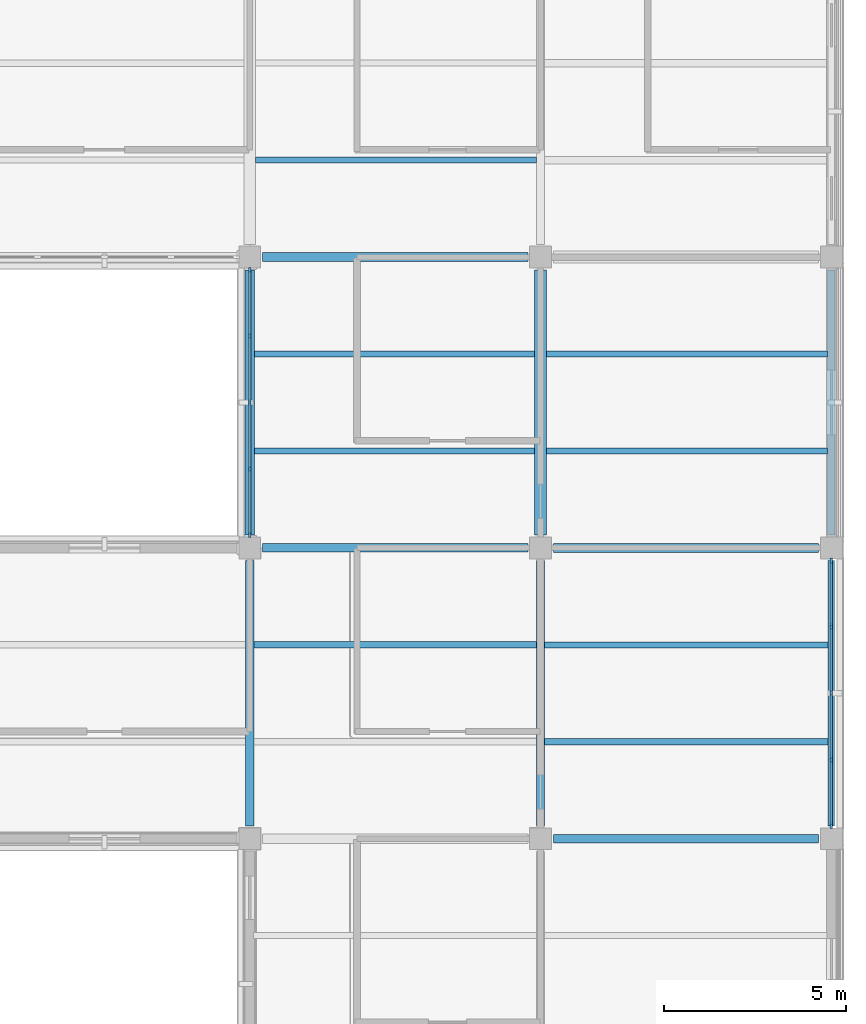
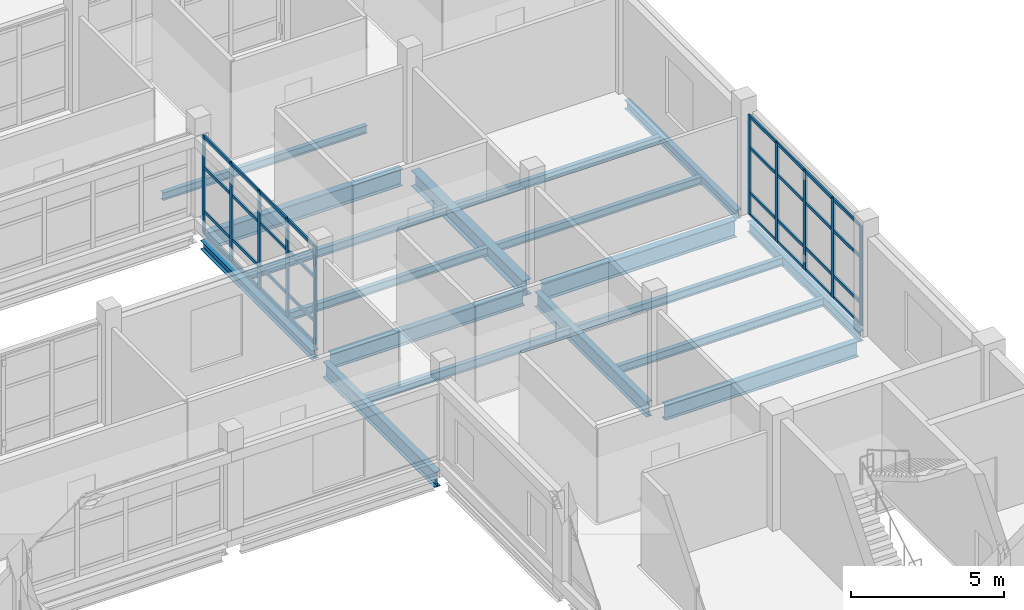
# One storey, part 50 of 121: 42 members, 18 beams, 2 elements without a shape of their own.
"""IFC4 building model written with IfcOpenShell, lengths in metres."""

import ifcopenshell
import ifcopenshell.guid

model = None  # the IFC model being written
_history = None  # IfcOwnerHistory: only IFC2X3 demands one
_inside = {}  # id of a spatial element -> (the spatial element, [elements in it])
_under = {}  # id of a project, library or spatial element -> (it, [spatial elements below it])
_declared = {}  # id of a project -> (the project, [libraries it declares])
_typed = {}  # id of a type object -> (the type object, [elements of that type])
_made_of = {}  # id of a material, layer set ... -> (it, [elements and type objects made of it])


def new_model(schema):
    """Start an empty IFC model of exactly this schema.

    Asked for "IFC4X3", IfcOpenShell would pick the latest addendum, in which some entities
    have other attributes; the version numbers below select the first issue.
    IFC2X3 requires an IfcOwnerHistory on every rooted entity: one is made here for all.
    """
    global model, _history
    if schema == "IFC4X3":
        model = ifcopenshell.file(schema_version=(4, 3, 0, 0))
    else:
        model = ifcopenshell.file(schema=schema)
    _inside.clear()
    _under.clear()
    _declared.clear()
    _typed.clear()
    _made_of.clear()
    _history = None
    if model.schema == "IFC2X3":
        org = make("IfcOrganization", Name="unknown")
        user = make(
            "IfcPersonAndOrganization",
            ThePerson=make("IfcPerson", FamilyName="unknown"),
            TheOrganization=org,
        )
        app = make(
            "IfcApplication",
            ApplicationDeveloper=org,
            Version="unknown",
            ApplicationFullName="unknown",
            ApplicationIdentifier="unknown",
        )
        _history = make(
            "IfcOwnerHistory",
            OwningUser=user,
            OwningApplication=app,
            ChangeAction="ADDED",
            CreationDate=0,
        )
    return model


def make(cls, **values):
    """One entity of the class cls with the attributes given. An attribute that is None is left unset."""
    return model.create_entity(
        cls, **{name: value for name, value in values.items() if value is not None}
    )


def rooted(cls, **values):
    """An entity with a GlobalId (a new one), such as an element, a storey or a relation."""
    return make(cls, GlobalId=ifcopenshell.guid.new(), OwnerHistory=_history, **values)


def si_unit(unit_type, name, prefix=None):
    """IfcSIUnit, for example si_unit("LENGTHUNIT", "METRE", prefix="MILLI")."""
    return make("IfcSIUnit", UnitType=unit_type, Prefix=prefix, Name=name)


def derived_unit(unit_type, elements):
    """IfcDerivedUnit: a product of units, each with its exponent."""
    return make(
        "IfcDerivedUnit",
        Elements=[
            make("IfcDerivedUnitElement", Unit=unit, Exponent=power)
            for unit, power in elements
        ],
        UnitType=unit_type,
    )


def assignment(units):
    """IfcUnitAssignment: the units of a project."""
    return None if units is None else make("IfcUnitAssignment", Units=units)


def point(xyz):
    """IfcCartesianPoint."""
    return None if xyz is None else make("IfcCartesianPoint", Coordinates=xyz)


def direction(xyz):
    """IfcDirection."""
    return None if xyz is None else make("IfcDirection", DirectionRatios=xyz)


def frame(location, z_axis=None, x_axis=None):
    """IfcAxis2Placement3D, a coordinate frame: its origin and axes. An axis left out is left unset."""
    return make(
        "IfcAxis2Placement3D",
        Location=point(location),
        Axis=direction(z_axis),
        RefDirection=direction(x_axis),
    )


def frame_2d(location, x_axis=None):
    """IfcAxis2Placement2D, a coordinate frame in the plane: its origin and x axis."""
    return make(
        "IfcAxis2Placement2D", Location=point(location), RefDirection=direction(x_axis)
    )


def origin():
    """The frame at (0, 0, 0) with its axes left unset."""
    return frame((0.0, 0.0, 0.0))


def origin_2d():
    """The frame at (0, 0) in the plane with its x axis left unset."""
    return frame_2d((0.0, 0.0))


def place(relative_to, where):
    """IfcLocalPlacement: puts the frame where relative to a parent placement (None: the world)."""
    return make(
        "IfcLocalPlacement", PlacementRelTo=relative_to, RelativePlacement=where
    )


def context(
    kind, dimensions, precision=None, world=None, true_north=None, identifier=None
):
    """IfcGeometricRepresentationContext, for example the 3D "Model" context."""
    return make(
        "IfcGeometricRepresentationContext",
        ContextIdentifier=identifier,
        ContextType=kind,
        CoordinateSpaceDimension=dimensions,
        Precision=precision,
        WorldCoordinateSystem=world,
        TrueNorth=true_north,
    )


def subcontext(parent, identifier, kind, view, scale=None):
    """IfcGeometricRepresentationSubContext, for example "Body" below "Model"."""
    return make(
        "IfcGeometricRepresentationSubContext",
        ContextIdentifier=identifier,
        ContextType=kind,
        ParentContext=parent,
        TargetScale=scale,
        TargetView=view,
    )


def project(units=None, contexts=None):
    """IfcProject with its units and contexts."""
    return rooted(
        "IfcProject",
        Name="project",
        RepresentationContexts=contexts,
        UnitsInContext=assignment(units),
    )


def spatial(cls, under=None, at=None, **own):
    """A site, building, storey or space (cls), placed at a placement, below another one or the project."""
    s = rooted(cls, ObjectPlacement=at, **own)
    if under is not None:
        _under.setdefault(under.id(), (under, []))[1].append(s)
    return s


def profile(cls, at=None, kind="AREA", **sizes):
    """A parametric profile (cls). Its sizes go by their IFC names, for example OverallWidth=200.0."""
    return make(cls, ProfileType=kind, Position=at, **sizes)


def rectangle(**sizes):
    """IfcRectangleProfileDef."""
    return profile("IfcRectangleProfileDef", **sizes)


def i_section(**sizes):
    """IfcIShapeProfileDef."""
    return profile("IfcIShapeProfileDef", **sizes)


def extrude(swept, where, along, depth):
    """IfcExtrudedAreaSolid: the profile swept, set in the frame where, extruded along a direction by depth."""
    return make(
        "IfcExtrudedAreaSolid",
        SweptArea=swept,
        Position=where,
        ExtrudedDirection=direction(along),
        Depth=depth,
    )


def shape(context_of_items, identifier, shape_type, items):
    """IfcShapeRepresentation: the items that make up one representation, for example the "Body"."""
    return make(
        "IfcShapeRepresentation",
        ContextOfItems=context_of_items,
        RepresentationIdentifier=identifier,
        RepresentationType=shape_type,
        Items=items,
    )


def material(Name=None, Category=None):
    """IfcMaterial."""
    return make("IfcMaterial", Name=Name, Category=Category)


def layer(
    of_material, thickness, ventilated=None, Name=None, Category=None, Priority=None
):
    """IfcMaterialLayer: one layer of a wall or slab, of a material (None: an air gap)."""
    return make(
        "IfcMaterialLayer",
        Material=of_material,
        LayerThickness=thickness,
        IsVentilated=ventilated,
        Name=Name,
        Category=Category,
        Priority=Priority,
    )


def layer_set(layers, Name=None):
    """IfcMaterialLayerSet."""
    return make("IfcMaterialLayerSet", MaterialLayers=layers, LayerSetName=Name)


def material_profile(
    of_material, cross_section, Name=None, Category=None, Priority=None
):
    """IfcMaterialProfile: a cross section and its material."""
    return make(
        "IfcMaterialProfile",
        Name=Name,
        Material=of_material,
        Profile=cross_section,
        Priority=Priority,
        Category=Category,
    )


def profile_set(profiles, Name=None, composite=None):
    """IfcMaterialProfileSet."""
    return make(
        "IfcMaterialProfileSet",
        Name=Name,
        MaterialProfiles=profiles,
        CompositeProfile=composite,
    )


def made_of(thing, what):
    """Note that an element or type object is made of a material, layer set ...; save() writes the relation."""
    if what is not None:
        _made_of.setdefault(what.id(), (what, []))[1].append(thing)
    return thing


def type_object(cls, material=None, **own):
    """A type object (cls), such as IfcWallType, which elements share."""
    return made_of(rooted(cls, **own), material)


def element(
    cls,
    number,
    at=None,
    inside=None,
    cuts=None,
    type_object=None,
    material=None,
    context=None,
    identifier="Body",
    shape_type=None,
    held_by="IfcProductDefinitionShape",
    body=None,
    shapes=None,
    **own,
):
    """One element of the class cls, such as IfcWall. Its Tag is "e" and its number.

    at: its placement. inside: the storey or other place that contains it. cuts: it is an
    opening in that element (IfcRelVoidsElement). A single representation is given by context,
    identifier, shape_type and body (its items); several are given by shapes. held_by: the class
    of the entity that holds the representations. save() writes the other relations.
    """
    e = rooted(cls, Tag="e%d" % number, ObjectPlacement=at, **own)
    if body is not None:
        shapes = [shape(context, identifier, shape_type, body)]
    if shapes is not None:
        e.Representation = make(held_by, Representations=shapes)
    if inside is not None:
        _inside.setdefault(inside.id(), (inside, []))[1].append(e)
    if cuts is not None:
        rooted(
            "IfcRelVoidsElement", RelatingBuildingElement=cuts, RelatedOpeningElement=e
        )
    if type_object is not None:
        _typed.setdefault(type_object.id(), (type_object, []))[1].append(e)
    return made_of(e, material)


def aggregate(whole, parts):
    """IfcRelAggregates: a whole, such as a stair, and the parts it consists of."""
    return rooted("IfcRelAggregates", RelatingObject=whole, RelatedObjects=parts)


def save(model, path):
    """Write the relations noted so far, then the file.

    IfcRelAggregates (storeys below a building ...), IfcRelContainedInSpatialStructure (elements
    in a storey), IfcRelDefinesByType, IfcRelAssociatesMaterial and IfcRelDeclares: one each for
    every whole, place, type object, material and project.
    """
    for whole, parts in _under.values():
        aggregate(whole, parts)
    for where, things in _inside.values():
        rooted(
            "IfcRelContainedInSpatialStructure",
            RelatedElements=things,
            RelatingStructure=where,
        )
    for kind, things in _typed.values():
        rooted("IfcRelDefinesByType", RelatedObjects=things, RelatingType=kind)
    for what, things in _made_of.values():
        rooted("IfcRelAssociatesMaterial", RelatedObjects=things, RelatingMaterial=what)
    for by, libraries in _declared.values():
        rooted("IfcRelDeclares", RelatingContext=by, RelatedDefinitions=libraries)
    model.write(path)


model = new_model("IFC4")

# Units and contexts
model_context = context("Model", 3, precision=1e-05, world=origin(), true_north=direction((0.0, 1.0)))
body_context = subcontext(model_context, "Body", "Model", "MODEL_VIEW")
ifc_project = project(units=[si_unit("LENGTHUNIT", "METRE"), si_unit("AREAUNIT", "SQUARE_METRE"), si_unit("VOLUMEUNIT", "CUBIC_METRE"), si_unit("PLANEANGLEUNIT", "RADIAN"), si_unit("MASSUNIT", "GRAM", prefix="KILO"), derived_unit("THERMALTRANSMITTANCEUNIT", [(si_unit("MASSUNIT", "GRAM", prefix="KILO"), 1), (si_unit("TIMEUNIT", "SECOND"), -3), (si_unit("THERMODYNAMICTEMPERATUREUNIT", "KELVIN"), -1)])], contexts=[model_context])

# Site, building, storey
site_placement = place(None, origin())
site = spatial("IfcSite", under=ifc_project, at=site_placement, CompositionType="ELEMENT")
building_placement = place(site_placement, origin())
building = spatial("IfcBuilding", under=site, at=building_placement, Name="Veyamyaing Civic Hall", CompositionType="ELEMENT")
storey_placement = place(building_placement, frame((0.0, 0.0, 5.280029296875)))
storey = spatial("IfcBuildingStorey", under=building, at=storey_placement, Name="L01", CompositionType="ELEMENT", Elevation=5.280029296875)

# Beams
ifc_material_1 = material(Name="Steel ASTM A992", Category="steel")
ifc_material_profile_1 = material_profile(ifc_material_1, i_section(OverallWidth=0.22998046875, OverallDepth=0.616943359375, WebThickness=0.01318359375, FlangeThickness=0.022216796875, FilletRadius=0.012939453125, at=origin_2d()), Name="W610X140")
ifc_profile_set_1 = profile_set([ifc_material_profile_1], Name="Steel ASTM A992")
beam_type_1 = type_object("IfcBeamType", Name="B-05", PredefinedType="BEAM", material=ifc_profile_set_1)
for number, where, z_axis, x_axis, name in (
    (1, (168.35009765625, 32.0, -0.553466796875), (1.0, 0.0, 0.0), (0.0, 1.0, 0.0), "Girder B-05 L01 Grid E 22-23"),
    (2, (160.35009765625, 40.0, -0.553466796875), (1.0, 0.0, 0.0), (0.0, 1.0, 0.0), "Girder B-05 L01 Grid F 21-22"),
    (3, (160.0, 32.35009765625, -0.553466796875), (0.0, 1.0, 0.0), (-1.0, 0.0, 0.0), "Girder B-05 L01 Grid 21 E-F"),
):
    element("IfcBeam", number, at=place(storey_placement, frame(where, z_axis=z_axis, x_axis=x_axis)), inside=storey, type_object=beam_type_1, Name=name, PredefinedType="BEAM", context=body_context, shape_type="SweptSolid", body=[
        extrude(i_section(OverallWidth=0.22998046875, OverallDepth=0.616943359375, WebThickness=0.01318359375, FlangeThickness=0.022216796875, FilletRadius=0.012939453125, at=origin_2d()), origin(), (0.0, 0.0, 1.0), 7.2998046875),
    ])
ifc_material_profile_2 = material_profile(ifc_material_1, i_section(OverallWidth=0.22802734375, OverallDepth=0.60791015625, WebThickness=0.01123046875, FlangeThickness=0.017333984375, FilletRadius=0.012939453125, at=origin_2d()), Name="W610X113")
ifc_profile_set_2 = profile_set([ifc_material_profile_2], Name="Steel ASTM A992")
beam_type_2 = type_object("IfcBeamType", Name="B-06", PredefinedType="BEAM", material=ifc_profile_set_2)
beam_1_placement = place(storey_placement, frame((168.0, 32.35009765625, -0.549072265625), z_axis=(0.0, 1.0, 0.0), x_axis=(-1.0, 0.0, 0.0)))
element("IfcBeam", 4, at=beam_1_placement, inside=storey, type_object=beam_type_2, Name="Girder B-06 L01 Grid 22 E-F", PredefinedType="BEAM", context=body_context, shape_type="SweptSolid", body=[
    extrude(i_section(OverallWidth=0.22802734375, OverallDepth=0.60791015625, WebThickness=0.01123046875, FlangeThickness=0.017333984375, FilletRadius=0.012939453125, at=origin_2d()), origin(), (0.0, 0.0, 1.0), 7.2998046875),
])
ifc_material_profile_3 = material_profile(ifc_material_1, i_section(OverallWidth=0.179931640625, OverallDepth=0.4130859375, WebThickness=0.009765625, FlangeThickness=0.01611328125, FilletRadius=0.010009765625, at=origin_2d()), Name="W410X74")
ifc_profile_set_3 = profile_set([ifc_material_profile_3], Name="Steel ASTM A992")
beam_type_3 = type_object("IfcBeamType", Name="B-10", PredefinedType="SPANDREL", material=ifc_profile_set_3)
beam_2_placement = place(storey_placement, frame((176.0, 32.35009765625, -0.451416015625), z_axis=(0.0, 1.0, 0.0), x_axis=(-1.0, 0.0, 0.0)))
element("IfcBeam", 5, at=beam_2_placement, inside=storey, type_object=beam_type_3, Name="Girder B-10 L01 Grid 23 E-F", PredefinedType="SPANDREL", context=body_context, shape_type="SweptSolid", body=[
    extrude(i_section(OverallWidth=0.179931640625, OverallDepth=0.4130859375, WebThickness=0.009765625, FlangeThickness=0.01611328125, FilletRadius=0.010009765625, at=origin_2d()), origin(), (0.0, 0.0, 1.0), 7.2998046875),
])
ifc_material_profile_4 = material_profile(ifc_material_1, i_section(OverallWidth=0.2041015625, OverallDepth=0.35009765625, WebThickness=0.0078125, FlangeThickness=0.01513671875, FilletRadius=0.010009765625, at=origin_2d()), Name="W360X72")
ifc_profile_set_4 = profile_set([ifc_material_profile_4], Name="Steel ASTM A992")
beam_type_4 = type_object("IfcBeamType", Name="B-11", PredefinedType="SPANDREL", material=ifc_profile_set_4)
beam_3_placement = place(storey_placement, frame((176.0, 40.35009765625, -0.419921875), z_axis=(0.0, 1.0, 0.0), x_axis=(-1.0, 0.0, 0.0)))
element("IfcBeam", 6, at=beam_3_placement, inside=storey, type_object=beam_type_4, Name="Girder B-11 L01 Grid 23 F-G", PredefinedType="SPANDREL", context=body_context, shape_type="SweptSolid", body=[
    extrude(i_section(OverallWidth=0.2041015625, OverallDepth=0.35009765625, WebThickness=0.0078125, FlangeThickness=0.01513671875, FilletRadius=0.010009765625, at=origin_2d()), origin(), (0.0, 0.0, 1.0), 7.2998046875),
])
ifc_material_profile_5 = material_profile(ifc_material_1, i_section(OverallWidth=0.25390625, OverallDepth=0.68408203125, WebThickness=0.012451171875, FlangeThickness=0.01904296875, FilletRadius=0.013916015625, at=origin_2d()), Name="W690X140")
ifc_profile_set_5 = profile_set([ifc_material_profile_5], Name="Steel ASTM A992")
beam_type_5 = type_object("IfcBeamType", Name="B-14", PredefinedType="BEAM", material=ifc_profile_set_5)
for number, where, z_axis, x_axis, name in (
    (7, (168.35009765625, 40.0, -0.5869140625), (1.0, 0.0, 0.0), (0.0, 1.0, 0.0), "Girder B-14 L01 Grid F 22-23"),
    (8, (160.35009765625, 48.0, -0.5869140625), (1.0, 0.0, 0.0), (0.0, 1.0, 0.0), "Girder B-14 L01 Grid G 21-22"),
):
    element("IfcBeam", number, at=place(storey_placement, frame(where, z_axis=z_axis, x_axis=x_axis)), inside=storey, type_object=beam_type_5, Name=name, PredefinedType="BEAM", context=body_context, shape_type="SweptSolid", body=[
        extrude(i_section(OverallWidth=0.25390625, OverallDepth=0.68408203125, WebThickness=0.012451171875, FlangeThickness=0.01904296875, FilletRadius=0.013916015625, at=origin_2d()), origin(), (0.0, 0.0, 1.0), 7.2998046875),
    ])
ifc_material_profile_6 = material_profile(ifc_material_1, i_section(OverallWidth=0.324951171875, OverallDepth=0.615966796875, WebThickness=0.013916015625, FlangeThickness=0.021484375, FilletRadius=0.013916015625, at=origin_2d()), Name="W610X174")
ifc_profile_set_6 = profile_set([ifc_material_profile_6], Name="Steel ASTM A992")
beam_type_6 = type_object("IfcBeamType", Name="B-15", PredefinedType="BEAM", material=ifc_profile_set_6)
beam_4_placement = place(storey_placement, frame((168.0, 40.35009765625, -0.552978515625), z_axis=(0.0, 1.0, 0.0), x_axis=(-1.0, 0.0, 0.0)))
element("IfcBeam", 9, at=beam_4_placement, inside=storey, type_object=beam_type_6, Name="Girder B-15 L01 Grid 22 F-G", PredefinedType="BEAM", context=body_context, shape_type="SweptSolid", body=[
    extrude(i_section(OverallWidth=0.324951171875, OverallDepth=0.615966796875, WebThickness=0.013916015625, FlangeThickness=0.021484375, FilletRadius=0.013916015625, at=origin_2d()), origin(), (0.0, 0.0, 1.0), 7.2998046875),
])
ifc_material_profile_7 = material_profile(ifc_material_1, i_section(OverallWidth=0.25390625, OverallDepth=0.35302734375, WebThickness=0.009521484375, FlangeThickness=0.016357421875, FilletRadius=0.011962890625, at=origin_2d()), Name="W360X91")
ifc_profile_set_7 = profile_set([ifc_material_profile_7], Name="Steel ASTM A992")
beam_type_7 = type_object("IfcBeamType", Name="B-20", PredefinedType="SPANDREL", material=ifc_profile_set_7)
beam_5_placement = place(storey_placement, frame((160.0, 40.35009765625, -0.421630859375), z_axis=(0.0, 1.0, 0.0), x_axis=(-1.0, 0.0, 0.0)))
element("IfcBeam", 10, at=beam_5_placement, inside=storey, type_object=beam_type_7, Name="Girder B-20 L01 Grid 21 F-G", PredefinedType="SPANDREL", context=body_context, shape_type="SweptSolid", body=[
    extrude(i_section(OverallWidth=0.25390625, OverallDepth=0.35302734375, WebThickness=0.009521484375, FlangeThickness=0.016357421875, FilletRadius=0.011962890625, at=origin_2d()), origin(), (0.0, 0.0, 1.0), 7.2998046875),
])

# Curtain wall, members
ifc_material_2 = material(Name="Anodised aluminium 6063-T6", Category="aluminium")
ifc_layer = layer(ifc_material_2, 0.159912109375, Name="Anodised aluminium 6063-T6")
ifc_layer_set = layer_set([ifc_layer], Name="Anodised aluminium 6063-T6")
curtain_wall_type = type_object("IfcCurtainWallType", Name="CW-02", PredefinedType="NOTDEFINED", material=ifc_layer_set)
curtain_wall_1_placement = place(storey_placement, origin())
curtain_wall_1 = element("IfcCurtainWall", 11, at=curtain_wall_1_placement, inside=storey, type_object=curtain_wall_type, Name="Unitized curtain wall CW-02 L01 W 21.6", PredefinedType="NOTDEFINED")
ifc_material_profile_8 = material_profile(ifc_material_2, rectangle(XDim=0.06494140625, YDim=0.159912109375, at=origin_2d()), Name="ALU-MUL-65X160")
ifc_profile_set_8 = profile_set([ifc_material_profile_8], Name="Anodised aluminium 6063-T6")
member_type_1 = type_object("IfcMemberType", Name="CWM-01", PredefinedType="MULLION", material=ifc_profile_set_8)
member_1_placement = place(storey_placement, frame((160.0, 40.362548828125, 0.0), z_axis=(0.0, 0.0, 1.0), x_axis=(-1.0, 0.0, 0.0)))
member_1 = element("IfcMember", 12, at=member_1_placement, type_object=member_type_1, Name="CW-02 mullion 1", PredefinedType="MULLION", context=body_context, shape_type="SweptSolid", body=[
    extrude(rectangle(XDim=0.06494140625, YDim=0.159912109375, at=origin_2d()), origin(), (0.0, 0.0, 1.0), 3.9140625),
])
member_2_placement = place(storey_placement, frame((160.0, 42.1650390625, 0.0), z_axis=(0.0, 0.0, 1.0), x_axis=(-1.0, 0.0, 0.0)))
member_2 = element("IfcMember", 13, at=member_2_placement, type_object=member_type_1, Name="CW-02 mullion 2", PredefinedType="MULLION", context=body_context, shape_type="SweptSolid", body=[
    extrude(rectangle(XDim=0.06494140625, YDim=0.159912109375, at=origin_2d()), origin(), (0.0, 0.0, 1.0), 3.9140625),
])
member_3_placement = place(storey_placement, frame((160.0, 44.0, 0.0), z_axis=(0.0, 0.0, 1.0), x_axis=(-1.0, 0.0, 0.0)))
member_3 = element("IfcMember", 14, at=member_3_placement, type_object=member_type_1, Name="CW-02 mullion 3", PredefinedType="MULLION", context=body_context, shape_type="SweptSolid", body=[
    extrude(rectangle(XDim=0.06494140625, YDim=0.159912109375, at=origin_2d()), origin(), (0.0, 0.0, 1.0), 3.9140625),
])
member_4_placement = place(storey_placement, frame((160.0, 45.8349609375, 0.0), z_axis=(0.0, 0.0, 1.0), x_axis=(-1.0, 0.0, 0.0)))
member_4 = element("IfcMember", 15, at=member_4_placement, type_object=member_type_1, Name="CW-02 mullion 4", PredefinedType="MULLION", context=body_context, shape_type="SweptSolid", body=[
    extrude(rectangle(XDim=0.06494140625, YDim=0.159912109375, at=origin_2d()), origin(), (0.0, 0.0, 1.0), 3.9140625),
])
member_5_placement = place(storey_placement, frame((160.0, 47.637451171875, 0.0), z_axis=(0.0, 0.0, 1.0), x_axis=(-1.0, 0.0, 0.0)))
member_5 = element("IfcMember", 16, at=member_5_placement, type_object=member_type_1, Name="CW-02 mullion 5", PredefinedType="MULLION", context=body_context, shape_type="SweptSolid", body=[
    extrude(rectangle(XDim=0.06494140625, YDim=0.159912109375, at=origin_2d()), origin(), (0.0, 0.0, 1.0), 3.9140625),
])

curtain_wall_2_placement = place(storey_placement, origin())
curtain_wall_2 = element("IfcCurtainWall", 17, at=curtain_wall_2_placement, inside=storey, type_object=curtain_wall_type, Name="Unitized curtain wall CW-02 L01 E 22.5", PredefinedType="NOTDEFINED")
member_6_placement = place(storey_placement, frame((176.0, 32.362548828125, 0.0), z_axis=(0.0, 0.0, 1.0), x_axis=(-1.0, 0.0, 0.0)))
member_6 = element("IfcMember", 18, at=member_6_placement, type_object=member_type_1, Name="CW-02 mullion 1", PredefinedType="MULLION", context=body_context, shape_type="SweptSolid", body=[
    extrude(rectangle(XDim=0.06494140625, YDim=0.159912109375, at=origin_2d()), origin(), (0.0, 0.0, 1.0), 3.97705078125),
])
member_7_placement = place(storey_placement, frame((176.0, 34.1650390625, 0.0), z_axis=(0.0, 0.0, 1.0), x_axis=(-1.0, 0.0, 0.0)))
member_7 = element("IfcMember", 19, at=member_7_placement, type_object=member_type_1, Name="CW-02 mullion 2", PredefinedType="MULLION", context=body_context, shape_type="SweptSolid", body=[
    extrude(rectangle(XDim=0.06494140625, YDim=0.159912109375, at=origin_2d()), origin(), (0.0, 0.0, 1.0), 3.97705078125),
])
member_8_placement = place(storey_placement, frame((176.0, 36.0, 0.0), z_axis=(0.0, 0.0, 1.0), x_axis=(-1.0, 0.0, 0.0)))
member_8 = element("IfcMember", 20, at=member_8_placement, type_object=member_type_1, Name="CW-02 mullion 3", PredefinedType="MULLION", context=body_context, shape_type="SweptSolid", body=[
    extrude(rectangle(XDim=0.06494140625, YDim=0.159912109375, at=origin_2d()), origin(), (0.0, 0.0, 1.0), 3.97705078125),
])
member_9_placement = place(storey_placement, frame((176.0, 37.8349609375, 0.0), z_axis=(0.0, 0.0, 1.0), x_axis=(-1.0, 0.0, 0.0)))
member_9 = element("IfcMember", 21, at=member_9_placement, type_object=member_type_1, Name="CW-02 mullion 4", PredefinedType="MULLION", context=body_context, shape_type="SweptSolid", body=[
    extrude(rectangle(XDim=0.06494140625, YDim=0.159912109375, at=origin_2d()), origin(), (0.0, 0.0, 1.0), 3.97705078125),
])
member_10_placement = place(storey_placement, frame((176.0, 39.637451171875, 0.0), z_axis=(0.0, 0.0, 1.0), x_axis=(-1.0, 0.0, 0.0)))
member_10 = element("IfcMember", 22, at=member_10_placement, type_object=member_type_1, Name="CW-02 mullion 5", PredefinedType="MULLION", context=body_context, shape_type="SweptSolid", body=[
    extrude(rectangle(XDim=0.06494140625, YDim=0.159912109375, at=origin_2d()), origin(), (0.0, 0.0, 1.0), 3.97705078125),
])

# Member
ifc_material_profile_9 = material_profile(ifc_material_2, rectangle(XDim=0.06494140625, YDim=0.1201171875, at=origin_2d()), Name="ALU-TRN-65X120")
ifc_profile_set_9 = profile_set([ifc_material_profile_9], Name="Anodised aluminium 6063-T6")
member_type_2 = type_object("IfcMemberType", Name="CWT-01", PredefinedType="USERDEFINED", material=ifc_profile_set_9)
member_11_placement = place(storey_placement, frame((160.0, 40.39501953125, 0.032470703125), z_axis=(0.0, 1.0, 0.0), x_axis=(-1.0, 0.0, 0.0)))
member_11 = element("IfcMember", 23, at=member_11_placement, type_object=member_type_2, Name="CW-02 transom 1.1", ObjectType="TRANSOM", PredefinedType="USERDEFINED", context=body_context, shape_type="SweptSolid", body=[
    extrude(rectangle(XDim=0.06494140625, YDim=0.1201171875, at=origin_2d()), origin(), (0.0, 0.0, 1.0), 1.737548828125),
])

member_12_placement = place(storey_placement, frame((160.0, 40.39501953125, 0.89990234375), z_axis=(0.0, 1.0, 0.0), x_axis=(-1.0, 0.0, 0.0)))
member_12 = element("IfcMember", 24, at=member_12_placement, type_object=member_type_2, Name="CW-02 transom 1.2", ObjectType="TRANSOM", PredefinedType="USERDEFINED", context=body_context, shape_type="SweptSolid", body=[
    extrude(rectangle(XDim=0.06494140625, YDim=0.1201171875, at=origin_2d()), origin(), (0.0, 0.0, 1.0), 1.737548828125),
])

member_13_placement = place(storey_placement, frame((160.0, 40.39501953125, 2.661376953125), z_axis=(0.0, 1.0, 0.0), x_axis=(-1.0, 0.0, 0.0)))
member_13 = element("IfcMember", 25, at=member_13_placement, type_object=member_type_2, Name="CW-02 transom 1.3", ObjectType="TRANSOM", PredefinedType="USERDEFINED", context=body_context, shape_type="SweptSolid", body=[
    extrude(rectangle(XDim=0.06494140625, YDim=0.1201171875, at=origin_2d()), origin(), (0.0, 0.0, 1.0), 1.737548828125),
])

member_14_placement = place(storey_placement, frame((160.0, 40.39501953125, 3.881591796875), z_axis=(0.0, 1.0, 0.0), x_axis=(-1.0, 0.0, 0.0)))
member_14 = element("IfcMember", 26, at=member_14_placement, type_object=member_type_2, Name="CW-02 transom 1.4", ObjectType="TRANSOM", PredefinedType="USERDEFINED", context=body_context, shape_type="SweptSolid", body=[
    extrude(rectangle(XDim=0.06494140625, YDim=0.1201171875, at=origin_2d()), origin(), (0.0, 0.0, 1.0), 1.737548828125),
])

member_15_placement = place(storey_placement, frame((160.0, 42.197509765625, 0.032470703125), z_axis=(0.0, 1.0, 0.0), x_axis=(-1.0, 0.0, 0.0)))
member_15 = element("IfcMember", 27, at=member_15_placement, type_object=member_type_2, Name="CW-02 transom 2.1", ObjectType="TRANSOM", PredefinedType="USERDEFINED", context=body_context, shape_type="SweptSolid", body=[
    extrude(rectangle(XDim=0.06494140625, YDim=0.1201171875, at=origin_2d()), origin(), (0.0, 0.0, 1.0), 1.77001953125),
])

member_16_placement = place(storey_placement, frame((160.0, 42.197509765625, 0.89990234375), z_axis=(0.0, 1.0, 0.0), x_axis=(-1.0, 0.0, 0.0)))
member_16 = element("IfcMember", 28, at=member_16_placement, type_object=member_type_2, Name="CW-02 transom 2.2", ObjectType="TRANSOM", PredefinedType="USERDEFINED", context=body_context, shape_type="SweptSolid", body=[
    extrude(rectangle(XDim=0.06494140625, YDim=0.1201171875, at=origin_2d()), origin(), (0.0, 0.0, 1.0), 1.77001953125),
])

member_17_placement = place(storey_placement, frame((160.0, 42.197509765625, 2.661376953125), z_axis=(0.0, 1.0, 0.0), x_axis=(-1.0, 0.0, 0.0)))
member_17 = element("IfcMember", 29, at=member_17_placement, type_object=member_type_2, Name="CW-02 transom 2.3", ObjectType="TRANSOM", PredefinedType="USERDEFINED", context=body_context, shape_type="SweptSolid", body=[
    extrude(rectangle(XDim=0.06494140625, YDim=0.1201171875, at=origin_2d()), origin(), (0.0, 0.0, 1.0), 1.77001953125),
])

member_18_placement = place(storey_placement, frame((160.0, 42.197509765625, 3.881591796875), z_axis=(0.0, 1.0, 0.0), x_axis=(-1.0, 0.0, 0.0)))
member_18 = element("IfcMember", 30, at=member_18_placement, type_object=member_type_2, Name="CW-02 transom 2.4", ObjectType="TRANSOM", PredefinedType="USERDEFINED", context=body_context, shape_type="SweptSolid", body=[
    extrude(rectangle(XDim=0.06494140625, YDim=0.1201171875, at=origin_2d()), origin(), (0.0, 0.0, 1.0), 1.77001953125),
])

member_19_placement = place(storey_placement, frame((160.0, 44.032470703125, 0.032470703125), z_axis=(0.0, 1.0, 0.0), x_axis=(-1.0, 0.0, 0.0)))
member_19 = element("IfcMember", 31, at=member_19_placement, type_object=member_type_2, Name="CW-02 transom 3.1", ObjectType="TRANSOM", PredefinedType="USERDEFINED", context=body_context, shape_type="SweptSolid", body=[
    extrude(rectangle(XDim=0.06494140625, YDim=0.1201171875, at=origin_2d()), origin(), (0.0, 0.0, 1.0), 1.77001953125),
])

member_20_placement = place(storey_placement, frame((160.0, 44.032470703125, 0.89990234375), z_axis=(0.0, 1.0, 0.0), x_axis=(-1.0, 0.0, 0.0)))
member_20 = element("IfcMember", 32, at=member_20_placement, type_object=member_type_2, Name="CW-02 transom 3.2", ObjectType="TRANSOM", PredefinedType="USERDEFINED", context=body_context, shape_type="SweptSolid", body=[
    extrude(rectangle(XDim=0.06494140625, YDim=0.1201171875, at=origin_2d()), origin(), (0.0, 0.0, 1.0), 1.77001953125),
])

member_21_placement = place(storey_placement, frame((160.0, 44.032470703125, 2.661376953125), z_axis=(0.0, 1.0, 0.0), x_axis=(-1.0, 0.0, 0.0)))
member_21 = element("IfcMember", 33, at=member_21_placement, type_object=member_type_2, Name="CW-02 transom 3.3", ObjectType="TRANSOM", PredefinedType="USERDEFINED", context=body_context, shape_type="SweptSolid", body=[
    extrude(rectangle(XDim=0.06494140625, YDim=0.1201171875, at=origin_2d()), origin(), (0.0, 0.0, 1.0), 1.77001953125),
])

member_22_placement = place(storey_placement, frame((160.0, 44.032470703125, 3.881591796875), z_axis=(0.0, 1.0, 0.0), x_axis=(-1.0, 0.0, 0.0)))
member_22 = element("IfcMember", 34, at=member_22_placement, type_object=member_type_2, Name="CW-02 transom 3.4", ObjectType="TRANSOM", PredefinedType="USERDEFINED", context=body_context, shape_type="SweptSolid", body=[
    extrude(rectangle(XDim=0.06494140625, YDim=0.1201171875, at=origin_2d()), origin(), (0.0, 0.0, 1.0), 1.77001953125),
])

member_23_placement = place(storey_placement, frame((160.0, 45.867431640625, 0.032470703125), z_axis=(0.0, 1.0, 0.0), x_axis=(-1.0, 0.0, 0.0)))
member_23 = element("IfcMember", 35, at=member_23_placement, type_object=member_type_2, Name="CW-02 transom 4.1", ObjectType="TRANSOM", PredefinedType="USERDEFINED", context=body_context, shape_type="SweptSolid", body=[
    extrude(rectangle(XDim=0.06494140625, YDim=0.1201171875, at=origin_2d()), origin(), (0.0, 0.0, 1.0), 1.737548828125),
])

member_24_placement = place(storey_placement, frame((160.0, 45.867431640625, 0.89990234375), z_axis=(0.0, 1.0, 0.0), x_axis=(-1.0, 0.0, 0.0)))
member_24 = element("IfcMember", 36, at=member_24_placement, type_object=member_type_2, Name="CW-02 transom 4.2", ObjectType="TRANSOM", PredefinedType="USERDEFINED", context=body_context, shape_type="SweptSolid", body=[
    extrude(rectangle(XDim=0.06494140625, YDim=0.1201171875, at=origin_2d()), origin(), (0.0, 0.0, 1.0), 1.737548828125),
])

member_25_placement = place(storey_placement, frame((160.0, 45.867431640625, 2.661376953125), z_axis=(0.0, 1.0, 0.0), x_axis=(-1.0, 0.0, 0.0)))
member_25 = element("IfcMember", 37, at=member_25_placement, type_object=member_type_2, Name="CW-02 transom 4.3", ObjectType="TRANSOM", PredefinedType="USERDEFINED", context=body_context, shape_type="SweptSolid", body=[
    extrude(rectangle(XDim=0.06494140625, YDim=0.1201171875, at=origin_2d()), origin(), (0.0, 0.0, 1.0), 1.737548828125),
])

member_26_placement = place(storey_placement, frame((160.0, 45.867431640625, 3.881591796875), z_axis=(0.0, 1.0, 0.0), x_axis=(-1.0, 0.0, 0.0)))
member_26 = element("IfcMember", 38, at=member_26_placement, type_object=member_type_2, Name="CW-02 transom 4.4", ObjectType="TRANSOM", PredefinedType="USERDEFINED", context=body_context, shape_type="SweptSolid", body=[
    extrude(rectangle(XDim=0.06494140625, YDim=0.1201171875, at=origin_2d()), origin(), (0.0, 0.0, 1.0), 1.737548828125),
])

aggregate(curtain_wall_1, [member_1, member_2, member_3, member_4, member_5, member_11, member_12, member_13, member_14, member_15, member_16, member_17, member_18, member_19, member_20, member_21, member_22, member_23, member_24, member_25, member_26])

member_27_placement = place(storey_placement, frame((176.0, 32.39501953125, 0.032470703125), z_axis=(0.0, 1.0, 0.0), x_axis=(-1.0, 0.0, 0.0)))
member_27 = element("IfcMember", 39, at=member_27_placement, type_object=member_type_2, Name="CW-02 transom 1.1", ObjectType="TRANSOM", PredefinedType="USERDEFINED", context=body_context, shape_type="SweptSolid", body=[
    extrude(rectangle(XDim=0.06494140625, YDim=0.1201171875, at=origin_2d()), origin(), (0.0, 0.0, 1.0), 1.737548828125),
])

member_28_placement = place(storey_placement, frame((176.0, 32.39501953125, 0.89990234375), z_axis=(0.0, 1.0, 0.0), x_axis=(-1.0, 0.0, 0.0)))
member_28 = element("IfcMember", 40, at=member_28_placement, type_object=member_type_2, Name="CW-02 transom 1.2", ObjectType="TRANSOM", PredefinedType="USERDEFINED", context=body_context, shape_type="SweptSolid", body=[
    extrude(rectangle(XDim=0.06494140625, YDim=0.1201171875, at=origin_2d()), origin(), (0.0, 0.0, 1.0), 1.737548828125),
])

member_29_placement = place(storey_placement, frame((176.0, 32.39501953125, 2.704345703125), z_axis=(0.0, 1.0, 0.0), x_axis=(-1.0, 0.0, 0.0)))
member_29 = element("IfcMember", 41, at=member_29_placement, type_object=member_type_2, Name="CW-02 transom 1.3", ObjectType="TRANSOM", PredefinedType="USERDEFINED", context=body_context, shape_type="SweptSolid", body=[
    extrude(rectangle(XDim=0.06494140625, YDim=0.1201171875, at=origin_2d()), origin(), (0.0, 0.0, 1.0), 1.737548828125),
])

member_30_placement = place(storey_placement, frame((176.0, 32.39501953125, 3.944580078125), z_axis=(0.0, 1.0, 0.0), x_axis=(-1.0, 0.0, 0.0)))
member_30 = element("IfcMember", 42, at=member_30_placement, type_object=member_type_2, Name="CW-02 transom 1.4", ObjectType="TRANSOM", PredefinedType="USERDEFINED", context=body_context, shape_type="SweptSolid", body=[
    extrude(rectangle(XDim=0.06494140625, YDim=0.1201171875, at=origin_2d()), origin(), (0.0, 0.0, 1.0), 1.737548828125),
])

member_31_placement = place(storey_placement, frame((176.0, 34.197509765625, 0.032470703125), z_axis=(0.0, 1.0, 0.0), x_axis=(-1.0, 0.0, 0.0)))
member_31 = element("IfcMember", 43, at=member_31_placement, type_object=member_type_2, Name="CW-02 transom 2.1", ObjectType="TRANSOM", PredefinedType="USERDEFINED", context=body_context, shape_type="SweptSolid", body=[
    extrude(rectangle(XDim=0.06494140625, YDim=0.1201171875, at=origin_2d()), origin(), (0.0, 0.0, 1.0), 1.77001953125),
])

member_32_placement = place(storey_placement, frame((176.0, 34.197509765625, 0.89990234375), z_axis=(0.0, 1.0, 0.0), x_axis=(-1.0, 0.0, 0.0)))
member_32 = element("IfcMember", 44, at=member_32_placement, type_object=member_type_2, Name="CW-02 transom 2.2", ObjectType="TRANSOM", PredefinedType="USERDEFINED", context=body_context, shape_type="SweptSolid", body=[
    extrude(rectangle(XDim=0.06494140625, YDim=0.1201171875, at=origin_2d()), origin(), (0.0, 0.0, 1.0), 1.77001953125),
])

member_33_placement = place(storey_placement, frame((176.0, 34.197509765625, 2.704345703125), z_axis=(0.0, 1.0, 0.0), x_axis=(-1.0, 0.0, 0.0)))
member_33 = element("IfcMember", 45, at=member_33_placement, type_object=member_type_2, Name="CW-02 transom 2.3", ObjectType="TRANSOM", PredefinedType="USERDEFINED", context=body_context, shape_type="SweptSolid", body=[
    extrude(rectangle(XDim=0.06494140625, YDim=0.1201171875, at=origin_2d()), origin(), (0.0, 0.0, 1.0), 1.77001953125),
])

member_34_placement = place(storey_placement, frame((176.0, 34.197509765625, 3.944580078125), z_axis=(0.0, 1.0, 0.0), x_axis=(-1.0, 0.0, 0.0)))
member_34 = element("IfcMember", 46, at=member_34_placement, type_object=member_type_2, Name="CW-02 transom 2.4", ObjectType="TRANSOM", PredefinedType="USERDEFINED", context=body_context, shape_type="SweptSolid", body=[
    extrude(rectangle(XDim=0.06494140625, YDim=0.1201171875, at=origin_2d()), origin(), (0.0, 0.0, 1.0), 1.77001953125),
])

member_35_placement = place(storey_placement, frame((176.0, 36.032470703125, 0.032470703125), z_axis=(0.0, 1.0, 0.0), x_axis=(-1.0, 0.0, 0.0)))
member_35 = element("IfcMember", 47, at=member_35_placement, type_object=member_type_2, Name="CW-02 transom 3.1", ObjectType="TRANSOM", PredefinedType="USERDEFINED", context=body_context, shape_type="SweptSolid", body=[
    extrude(rectangle(XDim=0.06494140625, YDim=0.1201171875, at=origin_2d()), origin(), (0.0, 0.0, 1.0), 1.77001953125),
])

member_36_placement = place(storey_placement, frame((176.0, 36.032470703125, 0.89990234375), z_axis=(0.0, 1.0, 0.0), x_axis=(-1.0, 0.0, 0.0)))
member_36 = element("IfcMember", 48, at=member_36_placement, type_object=member_type_2, Name="CW-02 transom 3.2", ObjectType="TRANSOM", PredefinedType="USERDEFINED", context=body_context, shape_type="SweptSolid", body=[
    extrude(rectangle(XDim=0.06494140625, YDim=0.1201171875, at=origin_2d()), origin(), (0.0, 0.0, 1.0), 1.77001953125),
])

member_37_placement = place(storey_placement, frame((176.0, 36.032470703125, 2.704345703125), z_axis=(0.0, 1.0, 0.0), x_axis=(-1.0, 0.0, 0.0)))
member_37 = element("IfcMember", 49, at=member_37_placement, type_object=member_type_2, Name="CW-02 transom 3.3", ObjectType="TRANSOM", PredefinedType="USERDEFINED", context=body_context, shape_type="SweptSolid", body=[
    extrude(rectangle(XDim=0.06494140625, YDim=0.1201171875, at=origin_2d()), origin(), (0.0, 0.0, 1.0), 1.77001953125),
])

member_38_placement = place(storey_placement, frame((176.0, 36.032470703125, 3.944580078125), z_axis=(0.0, 1.0, 0.0), x_axis=(-1.0, 0.0, 0.0)))
member_38 = element("IfcMember", 50, at=member_38_placement, type_object=member_type_2, Name="CW-02 transom 3.4", ObjectType="TRANSOM", PredefinedType="USERDEFINED", context=body_context, shape_type="SweptSolid", body=[
    extrude(rectangle(XDim=0.06494140625, YDim=0.1201171875, at=origin_2d()), origin(), (0.0, 0.0, 1.0), 1.77001953125),
])

member_39_placement = place(storey_placement, frame((176.0, 37.867431640625, 0.032470703125), z_axis=(0.0, 1.0, 0.0), x_axis=(-1.0, 0.0, 0.0)))
member_39 = element("IfcMember", 51, at=member_39_placement, type_object=member_type_2, Name="CW-02 transom 4.1", ObjectType="TRANSOM", PredefinedType="USERDEFINED", context=body_context, shape_type="SweptSolid", body=[
    extrude(rectangle(XDim=0.06494140625, YDim=0.1201171875, at=origin_2d()), origin(), (0.0, 0.0, 1.0), 1.737548828125),
])

member_40_placement = place(storey_placement, frame((176.0, 37.867431640625, 0.89990234375), z_axis=(0.0, 1.0, 0.0), x_axis=(-1.0, 0.0, 0.0)))
member_40 = element("IfcMember", 52, at=member_40_placement, type_object=member_type_2, Name="CW-02 transom 4.2", ObjectType="TRANSOM", PredefinedType="USERDEFINED", context=body_context, shape_type="SweptSolid", body=[
    extrude(rectangle(XDim=0.06494140625, YDim=0.1201171875, at=origin_2d()), origin(), (0.0, 0.0, 1.0), 1.737548828125),
])

member_41_placement = place(storey_placement, frame((176.0, 37.867431640625, 2.704345703125), z_axis=(0.0, 1.0, 0.0), x_axis=(-1.0, 0.0, 0.0)))
member_41 = element("IfcMember", 53, at=member_41_placement, type_object=member_type_2, Name="CW-02 transom 4.3", ObjectType="TRANSOM", PredefinedType="USERDEFINED", context=body_context, shape_type="SweptSolid", body=[
    extrude(rectangle(XDim=0.06494140625, YDim=0.1201171875, at=origin_2d()), origin(), (0.0, 0.0, 1.0), 1.737548828125),
])

member_42_placement = place(storey_placement, frame((176.0, 37.867431640625, 3.944580078125), z_axis=(0.0, 1.0, 0.0), x_axis=(-1.0, 0.0, 0.0)))
member_42 = element("IfcMember", 54, at=member_42_placement, type_object=member_type_2, Name="CW-02 transom 4.4", ObjectType="TRANSOM", PredefinedType="USERDEFINED", context=body_context, shape_type="SweptSolid", body=[
    extrude(rectangle(XDim=0.06494140625, YDim=0.1201171875, at=origin_2d()), origin(), (0.0, 0.0, 1.0), 1.737548828125),
])

aggregate(curtain_wall_2, [member_6, member_7, member_8, member_9, member_10, member_27, member_28, member_29, member_30, member_31, member_32, member_33, member_34, member_35, member_36, member_37, member_38, member_39, member_40, member_41, member_42])

# Beams
ifc_material_profile_10 = material_profile(ifc_material_1, i_section(OverallWidth=0.1708984375, OverallDepth=0.35205078125, WebThickness=0.0068359375, FlangeThickness=0.009765625, FilletRadius=0.010009765625, at=origin_2d()), Name="W360X44")
ifc_profile_set_10 = profile_set([ifc_material_profile_10], Name="Steel ASTM A992")
beam_type_8 = type_object("IfcBeamType", Name="J-03", PredefinedType="JOIST", material=ifc_profile_set_10)
beam_6_placement = place(storey_placement, frame((160.113037109375, 37.333251953125, -0.421142578125), z_axis=(1.0, 0.0, 0.0), x_axis=(0.0, 1.0, 0.0)))
element("IfcBeam", 55, at=beam_6_placement, inside=storey, type_object=beam_type_8, Name="Composite floor joist J-03 L01 21.5.2", PredefinedType="JOIST", context=body_context, shape_type="SweptSolid", body=[
    extrude(i_section(OverallWidth=0.1708984375, OverallDepth=0.35205078125, WebThickness=0.0068359375, FlangeThickness=0.009765625, FilletRadius=0.010009765625, at=origin_2d()), origin(), (0.0, 0.0, 1.0), 7.77490234375),
])
ifc_material_profile_11 = material_profile(ifc_material_1, i_section(OverallWidth=0.1669921875, OverallDepth=0.318115234375, WebThickness=0.007568359375, FlangeThickness=0.01318359375, FilletRadius=0.010009765625, at=origin_2d()), Name="W310X52")
ifc_profile_set_11 = profile_set([ifc_material_profile_11], Name="Steel ASTM A992")
beam_type_9 = type_object("IfcBeamType", Name="J-04", PredefinedType="JOIST", material=ifc_profile_set_11)
for number, where, z_axis, x_axis, name in (
    (56, (160.125, 42.666748046875, -0.404052734375), (1.0, 0.0, 0.0), (0.0, 1.0, 0.0), "Composite floor joist J-04 L01 21.6.1"),
    (57, (160.125, 45.333251953125, -0.404052734375), (1.0, 0.0, 0.0), (0.0, 1.0, 0.0), "Composite floor joist J-04 L01 21.6.2"),
):
    element("IfcBeam", number, at=place(storey_placement, frame(where, z_axis=z_axis, x_axis=x_axis)), inside=storey, type_object=beam_type_9, Name=name, PredefinedType="JOIST", context=body_context, shape_type="SweptSolid", body=[
        extrude(i_section(OverallWidth=0.1669921875, OverallDepth=0.318115234375, WebThickness=0.007568359375, FlangeThickness=0.01318359375, FilletRadius=0.010009765625, at=origin_2d()), origin(), (0.0, 0.0, 1.0), 7.714599609375),
    ])
for number, where, z_axis, x_axis, name in (
    (58, (168.112060546875, 34.666748046875, -0.404052734375), (1.0, 0.0, 0.0), (0.0, 1.0, 0.0), "Composite floor joist J-04 L01 22.5.1"),
    (59, (168.112060546875, 37.333251953125, -0.404052734375), (1.0, 0.0, 0.0), (0.0, 1.0, 0.0), "Composite floor joist J-04 L01 22.5.2"),
):
    element("IfcBeam", number, at=place(storey_placement, frame(where, z_axis=z_axis, x_axis=x_axis)), inside=storey, type_object=beam_type_9, Name=name, PredefinedType="JOIST", context=body_context, shape_type="SweptSolid", body=[
        extrude(i_section(OverallWidth=0.1669921875, OverallDepth=0.318115234375, WebThickness=0.007568359375, FlangeThickness=0.01318359375, FilletRadius=0.010009765625, at=origin_2d()), origin(), (0.0, 0.0, 1.0), 7.800048828125),
    ])
ifc_material_profile_12 = material_profile(ifc_material_1, i_section(OverallWidth=0.1650390625, OverallDepth=0.31005859375, WebThickness=0.005859375, FlangeThickness=0.009765625, FilletRadius=0.010009765625, at=origin_2d()), Name="W310X39")
ifc_profile_set_12 = profile_set([ifc_material_profile_12], Name="Steel ASTM A992")
beam_type_10 = type_object("IfcBeamType", Name="J-05", PredefinedType="JOIST", material=ifc_profile_set_12)
beam_7_placement = place(storey_placement, frame((160.160400390625, 50.666748046875, -0.400146484375), z_axis=(1.0, 0.0, 0.0), x_axis=(0.0, 1.0, 0.0)))
element("IfcBeam", 60, at=beam_7_placement, inside=storey, type_object=beam_type_10, Name="Composite floor joist J-05 L01 21.7.1", PredefinedType="JOIST", context=body_context, shape_type="SweptSolid", body=[
    extrude(i_section(OverallWidth=0.1650390625, OverallDepth=0.31005859375, WebThickness=0.005859375, FlangeThickness=0.009765625, FilletRadius=0.010009765625, at=origin_2d()), origin(), (0.0, 0.0, 1.0), 7.734619140625),
])
for number, where, z_axis, x_axis, name in (
    (61, (168.160400390625, 42.666748046875, -0.400146484375), (1.0, 0.0, 0.0), (0.0, 1.0, 0.0), "Composite floor joist J-05 L01 22.6.1"),
    (62, (168.160400390625, 45.333251953125, -0.400146484375), (1.0, 0.0, 0.0), (0.0, 1.0, 0.0), "Composite floor joist J-05 L01 22.6.2"),
):
    element("IfcBeam", number, at=place(storey_placement, frame(where, z_axis=z_axis, x_axis=x_axis)), inside=storey, type_object=beam_type_10, Name=name, PredefinedType="JOIST", context=body_context, shape_type="SweptSolid", body=[
        extrude(i_section(OverallWidth=0.1650390625, OverallDepth=0.31005859375, WebThickness=0.005859375, FlangeThickness=0.009765625, FilletRadius=0.010009765625, at=origin_2d()), origin(), (0.0, 0.0, 1.0), 7.739501953125),
    ])

save(model, "model.ifc")
